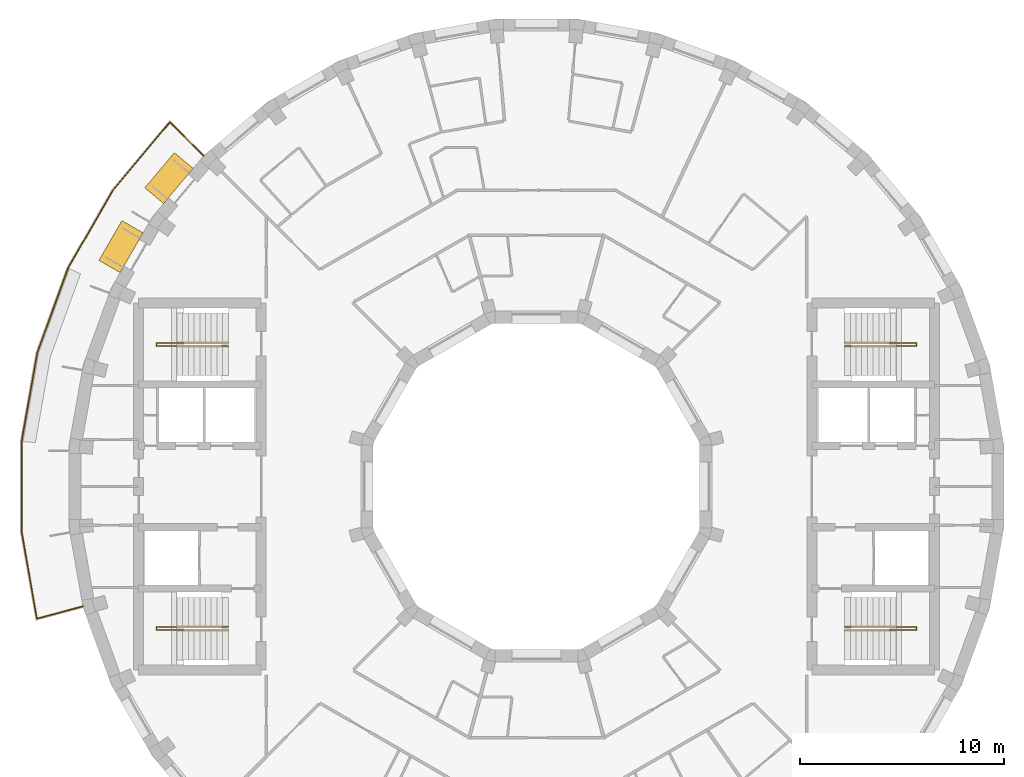
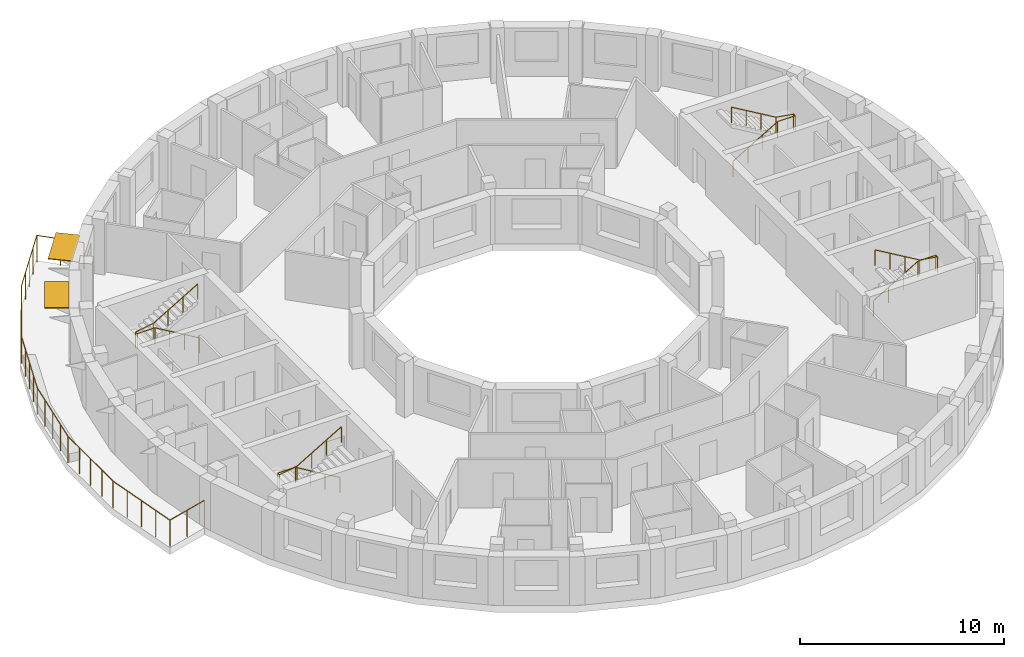
# One storey, part 10 of 10: 5 railings, 2 shading devices.
"""IFC4 building model written with IfcOpenShell, lengths in metres."""

import ifcopenshell
import ifcopenshell.guid

model = None  # the IFC model being written
_history = None  # IfcOwnerHistory: only IFC2X3 demands one
_inside = {}  # id of a spatial element -> (the spatial element, [elements in it])
_under = {}  # id of a project, library or spatial element -> (it, [spatial elements below it])
_declared = {}  # id of a project -> (the project, [libraries it declares])
_typed = {}  # id of a type object -> (the type object, [elements of that type])
_made_of = {}  # id of a material, layer set ... -> (it, [elements and type objects made of it])


def new_model(schema):
    """Start an empty IFC model of exactly this schema.

    Asked for "IFC4X3", IfcOpenShell would pick the latest addendum, in which some entities
    have other attributes; the version numbers below select the first issue.
    IFC2X3 requires an IfcOwnerHistory on every rooted entity: one is made here for all.
    """
    global model, _history
    if schema == "IFC4X3":
        model = ifcopenshell.file(schema_version=(4, 3, 0, 0))
    else:
        model = ifcopenshell.file(schema=schema)
    _inside.clear()
    _under.clear()
    _declared.clear()
    _typed.clear()
    _made_of.clear()
    _history = None
    if model.schema == "IFC2X3":
        org = make("IfcOrganization", Name="unknown")
        user = make(
            "IfcPersonAndOrganization",
            ThePerson=make("IfcPerson", FamilyName="unknown"),
            TheOrganization=org,
        )
        app = make(
            "IfcApplication",
            ApplicationDeveloper=org,
            Version="unknown",
            ApplicationFullName="unknown",
            ApplicationIdentifier="unknown",
        )
        _history = make(
            "IfcOwnerHistory",
            OwningUser=user,
            OwningApplication=app,
            ChangeAction="ADDED",
            CreationDate=0,
        )
    return model


def make(cls, **values):
    """One entity of the class cls with the attributes given. An attribute that is None is left unset."""
    return model.create_entity(
        cls, **{name: value for name, value in values.items() if value is not None}
    )


def rooted(cls, **values):
    """An entity with a GlobalId (a new one), such as an element, a storey or a relation."""
    return make(cls, GlobalId=ifcopenshell.guid.new(), OwnerHistory=_history, **values)


def si_unit(unit_type, name, prefix=None):
    """IfcSIUnit, for example si_unit("LENGTHUNIT", "METRE", prefix="MILLI")."""
    return make("IfcSIUnit", UnitType=unit_type, Prefix=prefix, Name=name)


def assignment(units):
    """IfcUnitAssignment: the units of a project."""
    return None if units is None else make("IfcUnitAssignment", Units=units)


def point(xyz):
    """IfcCartesianPoint."""
    return None if xyz is None else make("IfcCartesianPoint", Coordinates=xyz)


def direction(xyz):
    """IfcDirection."""
    return None if xyz is None else make("IfcDirection", DirectionRatios=xyz)


def frame(location, z_axis=None, x_axis=None):
    """IfcAxis2Placement3D, a coordinate frame: its origin and axes. An axis left out is left unset."""
    return make(
        "IfcAxis2Placement3D",
        Location=point(location),
        Axis=direction(z_axis),
        RefDirection=direction(x_axis),
    )


def frame_2d(location, x_axis=None):
    """IfcAxis2Placement2D, a coordinate frame in the plane: its origin and x axis."""
    return make(
        "IfcAxis2Placement2D", Location=point(location), RefDirection=direction(x_axis)
    )


def origin():
    """The frame at (0, 0, 0) with its axes left unset."""
    return frame((0.0, 0.0, 0.0))


def origin_2d():
    """The frame at (0, 0) in the plane with its x axis left unset."""
    return frame_2d((0.0, 0.0))


def place(relative_to, where):
    """IfcLocalPlacement: puts the frame where relative to a parent placement (None: the world)."""
    return make(
        "IfcLocalPlacement", PlacementRelTo=relative_to, RelativePlacement=where
    )


def context(
    kind, dimensions, precision=None, world=None, true_north=None, identifier=None
):
    """IfcGeometricRepresentationContext, for example the 3D "Model" context."""
    return make(
        "IfcGeometricRepresentationContext",
        ContextIdentifier=identifier,
        ContextType=kind,
        CoordinateSpaceDimension=dimensions,
        Precision=precision,
        WorldCoordinateSystem=world,
        TrueNorth=true_north,
    )


def subcontext(parent, identifier, kind, view, scale=None):
    """IfcGeometricRepresentationSubContext, for example "Body" below "Model"."""
    return make(
        "IfcGeometricRepresentationSubContext",
        ContextIdentifier=identifier,
        ContextType=kind,
        ParentContext=parent,
        TargetScale=scale,
        TargetView=view,
    )


def project(units=None, contexts=None):
    """IfcProject with its units and contexts."""
    return rooted(
        "IfcProject",
        Name="project",
        RepresentationContexts=contexts,
        UnitsInContext=assignment(units),
    )


def spatial(cls, under=None, at=None, **own):
    """A site, building, storey or space (cls), placed at a placement, below another one or the project."""
    s = rooted(cls, ObjectPlacement=at, **own)
    if under is not None:
        _under.setdefault(under.id(), (under, []))[1].append(s)
    return s


def profile(cls, at=None, kind="AREA", **sizes):
    """A parametric profile (cls). Its sizes go by their IFC names, for example OverallWidth=200.0."""
    return make(cls, ProfileType=kind, Position=at, **sizes)


def rectangle(**sizes):
    """IfcRectangleProfileDef."""
    return profile("IfcRectangleProfileDef", **sizes)


def circle(**sizes):
    """IfcCircleProfileDef."""
    return profile("IfcCircleProfileDef", **sizes)


def extrude(swept, where, along, depth):
    """IfcExtrudedAreaSolid: the profile swept, set in the frame where, extruded along a direction by depth."""
    return make(
        "IfcExtrudedAreaSolid",
        SweptArea=swept,
        Position=where,
        ExtrudedDirection=direction(along),
        Depth=depth,
    )


def shape(context_of_items, identifier, shape_type, items):
    """IfcShapeRepresentation: the items that make up one representation, for example the "Body"."""
    return make(
        "IfcShapeRepresentation",
        ContextOfItems=context_of_items,
        RepresentationIdentifier=identifier,
        RepresentationType=shape_type,
        Items=items,
    )


def material(Name=None, Category=None):
    """IfcMaterial."""
    return make("IfcMaterial", Name=Name, Category=Category)


def layer(
    of_material, thickness, ventilated=None, Name=None, Category=None, Priority=None
):
    """IfcMaterialLayer: one layer of a wall or slab, of a material (None: an air gap)."""
    return make(
        "IfcMaterialLayer",
        Material=of_material,
        LayerThickness=thickness,
        IsVentilated=ventilated,
        Name=Name,
        Category=Category,
        Priority=Priority,
    )


def layer_set(layers, Name=None):
    """IfcMaterialLayerSet."""
    return make("IfcMaterialLayerSet", MaterialLayers=layers, LayerSetName=Name)


def made_of(thing, what):
    """Note that an element or type object is made of a material, layer set ...; save() writes the relation."""
    if what is not None:
        _made_of.setdefault(what.id(), (what, []))[1].append(thing)
    return thing


def type_object(cls, material=None, **own):
    """A type object (cls), such as IfcWallType, which elements share."""
    return made_of(rooted(cls, **own), material)


def element(
    cls,
    number,
    at=None,
    inside=None,
    cuts=None,
    type_object=None,
    material=None,
    context=None,
    identifier="Body",
    shape_type=None,
    held_by="IfcProductDefinitionShape",
    body=None,
    shapes=None,
    **own,
):
    """One element of the class cls, such as IfcWall. Its Tag is "e" and its number.

    at: its placement. inside: the storey or other place that contains it. cuts: it is an
    opening in that element (IfcRelVoidsElement). A single representation is given by context,
    identifier, shape_type and body (its items); several are given by shapes. held_by: the class
    of the entity that holds the representations. save() writes the other relations.
    """
    e = rooted(cls, Tag="e%d" % number, ObjectPlacement=at, **own)
    if body is not None:
        shapes = [shape(context, identifier, shape_type, body)]
    if shapes is not None:
        e.Representation = make(held_by, Representations=shapes)
    if inside is not None:
        _inside.setdefault(inside.id(), (inside, []))[1].append(e)
    if cuts is not None:
        rooted(
            "IfcRelVoidsElement", RelatingBuildingElement=cuts, RelatedOpeningElement=e
        )
    if type_object is not None:
        _typed.setdefault(type_object.id(), (type_object, []))[1].append(e)
    return made_of(e, material)


def aggregate(whole, parts):
    """IfcRelAggregates: a whole, such as a stair, and the parts it consists of."""
    return rooted("IfcRelAggregates", RelatingObject=whole, RelatedObjects=parts)


def save(model, path):
    """Write the relations noted so far, then the file.

    IfcRelAggregates (storeys below a building ...), IfcRelContainedInSpatialStructure (elements
    in a storey), IfcRelDefinesByType, IfcRelAssociatesMaterial and IfcRelDeclares: one each for
    every whole, place, type object, material and project.
    """
    for whole, parts in _under.values():
        aggregate(whole, parts)
    for where, things in _inside.values():
        rooted(
            "IfcRelContainedInSpatialStructure",
            RelatedElements=things,
            RelatingStructure=where,
        )
    for kind, things in _typed.values():
        rooted("IfcRelDefinesByType", RelatedObjects=things, RelatingType=kind)
    for what, things in _made_of.values():
        rooted("IfcRelAssociatesMaterial", RelatedObjects=things, RelatingMaterial=what)
    for by, libraries in _declared.values():
        rooted("IfcRelDeclares", RelatingContext=by, RelatedDefinitions=libraries)
    model.write(path)


model = new_model("IFC4")

# Units and contexts
model_context = context("Model", 3, precision=1e-05, world=origin(), true_north=direction((0.0, 1.0)))
body_context = subcontext(model_context, "Body", "Model", "MODEL_VIEW")
ifc_project = project(units=[si_unit("LENGTHUNIT", "METRE"), si_unit("AREAUNIT", "SQUARE_METRE"), si_unit("VOLUMEUNIT", "CUBIC_METRE"), si_unit("PLANEANGLEUNIT", "RADIAN"), si_unit("MASSUNIT", "GRAM", prefix="KILO")], contexts=[model_context])

# Site, building, storey
site_placement = place(None, origin())
site = spatial("IfcSite", under=ifc_project, at=site_placement, CompositionType="ELEMENT")
building_placement = place(site_placement, origin())
building = spatial("IfcBuilding", under=site, at=building_placement, Name="Saqina Gate Tower", CompositionType="ELEMENT")
storey_placement = place(building_placement, frame((0.0, 0.0, 242.89990234375)))
storey = spatial("IfcBuildingStorey", under=building, at=storey_placement, Name="L69", CompositionType="ELEMENT", Elevation=242.89990234375)

# Shading devices
ifc_material_1 = material(Name="Aluminium and fabric awning", Category="aluminium")
ifc_layer = layer(ifc_material_1, 0.050048828125)
ifc_layer_set = layer_set([ifc_layer], Name="AW-TERRACE")
shading_device_type = type_object("IfcShadingDeviceType", Name="AW-TERRACE", PredefinedType="AWNING", material=ifc_layer_set)
for number, where, z_axis, x_axis, name in (
    (1, (-18.01171875, 15.113525390625, 2.52490234375), (0.0, 0.0, 1.0), (-0.642787609687, -0.766044443119, 0.0), "Terrace awning L69 facet 14"),
    (2, (-20.3623046875, 11.756103515625, 2.52490234375), (0.0, 0.0, 1.0), (-0.5, -0.866025403784, 0.0), "Terrace awning L69 facet 15"),
):
    element("IfcShadingDevice", number, at=place(storey_placement, frame(where, z_axis=z_axis, x_axis=x_axis)), inside=storey, type_object=shading_device_type, Name=name, PredefinedType="AWNING", context=body_context, shape_type="SweptSolid", body=[
        extrude(rectangle(XDim=2.251708984375, YDim=1.199951171875, at=origin_2d()), origin(), (0.0, 0.0, 1.0), 0.050048828125),
    ])

# Railings
ifc_material_2 = material(Name="Stainless steel", Category="steel")
railing_type_1 = type_object("IfcRailingType", Name="RL-TERRACE", PredefinedType="GUARDRAIL", material=ifc_material_2)
railing_1_placement = place(storey_placement, frame((-16.277587890625, 16.16455078125, 0.0)))
element("IfcRailing", 3, at=railing_1_placement, inside=storey, type_object=railing_type_1, Name="Terrace guard L69", PredefinedType="GUARDRAIL", context=body_context, shape_type="SweptSolid", body=[
    extrude(circle(Radius=0.02392578125, at=origin_2d()), frame((0.0, 0.0, 1.576171875), z_axis=(-0.707157881947, 0.707055676733, 0.0), x_axis=(-0.707055676733, -0.707157881947, 0.0)), (0.0, 0.0, 1.0), 2.388671875),
    extrude(circle(Radius=0.02392578125, at=origin_2d()), frame((-1.689208984375, 1.68896484375, 1.576171875), z_axis=(-0.641584720745, -0.76705217952, 0.0), x_axis=(0.76705217952, -0.641584720745, 0.0)), (0.0, 0.0, 1.0), 4.33544921875),
    extrude(circle(Radius=0.02392578125, at=origin_2d()), frame((-4.470703125, -1.636474609375, 1.576171875), z_axis=(-0.49998092645, -0.866036415623, 0.0), x_axis=(0.866036415623, -0.49998092645, 0.0)), (0.0, 0.0, 1.0), 4.415283203125),
    extrude(circle(Radius=0.02392578125, at=origin_2d()), frame((-6.67822265625, -5.460205078125, 1.576171875), z_axis=(-0.342022770825, -0.93969166445, 0.0), x_axis=(0.93969166445, -0.342022770825, 0.0)), (0.0, 0.0, 1.0), 4.4150390625),
    extrude(circle(Radius=0.02392578125, at=origin_2d()), frame((-8.188232421875, -9.60888671875, 1.576171875), z_axis=(-0.173627609853, -0.984811379451, 0.0), x_axis=(0.984811379451, -0.173627609853, 0.0)), (0.0, 0.0, 1.0), 4.415283203125),
    extrude(circle(Radius=0.02392578125, at=origin_2d()), frame((-8.954833984375, -13.95703125, 1.576171875), z_axis=(0.0, -1.0, 0.0), x_axis=(1.0, 0.0, 0.0)), (0.0, 0.0, 1.0), 4.4150390625),
    extrude(circle(Radius=0.02392578125, at=origin_2d()), frame((-8.954833984375, -18.3720703125, 1.576171875), z_axis=(0.172037454969, -0.985090409093, 0.0), x_axis=(0.985090409093, 0.172037454969, 0.0)), (0.0, 0.0, 1.0), 4.33544921875),
    extrude(circle(Radius=0.02392578125, at=origin_2d()), frame((-8.208984375, -22.642822265625, 1.576171875), z_axis=(0.96594257821, 0.258756517988, 0.0), x_axis=(-0.258756517988, 0.96594257821, 0.0)), (0.0, 0.0, 1.0), 2.388916015625),
    extrude(circle(Radius=0.02099609375, at=origin_2d()), origin(), (0.0, 0.0, 1.0), 1.552001953125),
    extrude(circle(Radius=0.02099609375, at=origin_2d()), frame((-0.8447265625, 0.844482421875, 0.0)), (0.0, 0.0, 1.0), 1.552001953125),
    extrude(circle(Radius=0.02099609375, at=origin_2d()), frame((-1.689208984375, 1.68896484375, 0.0)), (0.0, 0.0, 1.0), 1.552001953125),
    extrude(circle(Radius=0.02099609375, at=origin_2d()), frame((-2.384521484375, 0.857666015625, 0.0)), (0.0, 0.0, 1.0), 1.552001953125),
    extrude(circle(Radius=0.02099609375, at=origin_2d()), frame((-3.080078125, 0.0263671875, 0.0)), (0.0, 0.0, 1.0), 1.552001953125),
    extrude(circle(Radius=0.02099609375, at=origin_2d()), frame((-3.775390625, -0.80517578125, 0.0)), (0.0, 0.0, 1.0), 1.552001953125),
    extrude(circle(Radius=0.02099609375, at=origin_2d()), frame((-4.470703125, -1.636474609375, 0.0)), (0.0, 0.0, 1.0), 1.552001953125),
    extrude(circle(Radius=0.02099609375, at=origin_2d()), frame((-5.0224609375, -2.59228515625, 0.0)), (0.0, 0.0, 1.0), 1.552001953125),
    extrude(circle(Radius=0.02099609375, at=origin_2d()), frame((-5.574462890625, -3.54833984375, 0.0)), (0.0, 0.0, 1.0), 1.552001953125),
    extrude(circle(Radius=0.02099609375, at=origin_2d()), frame((-6.12646484375, -4.50439453125, 0.0)), (0.0, 0.0, 1.0), 1.552001953125),
    extrude(circle(Radius=0.02099609375, at=origin_2d()), frame((-6.67822265625, -5.460205078125, 0.0)), (0.0, 0.0, 1.0), 1.552001953125),
    extrude(circle(Radius=0.02099609375, at=origin_2d()), frame((-7.0556640625, -6.497314453125, 0.0)), (0.0, 0.0, 1.0), 1.552001953125),
    extrude(circle(Radius=0.02099609375, at=origin_2d()), frame((-7.43310546875, -7.53466796875, 0.0)), (0.0, 0.0, 1.0), 1.552001953125),
    extrude(circle(Radius=0.02099609375, at=origin_2d()), frame((-7.810791015625, -8.57177734375, 0.0)), (0.0, 0.0, 1.0), 1.552001953125),
    extrude(circle(Radius=0.02099609375, at=origin_2d()), frame((-8.188232421875, -9.60888671875, 0.0)), (0.0, 0.0, 1.0), 1.552001953125),
    extrude(circle(Radius=0.02099609375, at=origin_2d()), frame((-8.3798828125, -10.69580078125, 0.0)), (0.0, 0.0, 1.0), 1.552001953125),
    extrude(circle(Radius=0.02099609375, at=origin_2d()), frame((-8.571533203125, -11.782958984375, 0.0)), (0.0, 0.0, 1.0), 1.552001953125),
    extrude(circle(Radius=0.02099609375, at=origin_2d()), frame((-8.76318359375, -12.8701171875, 0.0)), (0.0, 0.0, 1.0), 1.552001953125),
    extrude(circle(Radius=0.02099609375, at=origin_2d()), frame((-8.954833984375, -13.95703125, 0.0)), (0.0, 0.0, 1.0), 1.552001953125),
    extrude(circle(Radius=0.02099609375, at=origin_2d()), frame((-8.954833984375, -15.060791015625, 0.0)), (0.0, 0.0, 1.0), 1.552001953125),
    extrude(circle(Radius=0.02099609375, at=origin_2d()), frame((-8.954833984375, -16.16455078125, 0.0)), (0.0, 0.0, 1.0), 1.552001953125),
    extrude(circle(Radius=0.02099609375, at=origin_2d()), frame((-8.954833984375, -17.268310546875, 0.0)), (0.0, 0.0, 1.0), 1.552001953125),
    extrude(circle(Radius=0.02099609375, at=origin_2d()), frame((-8.954833984375, -18.3720703125, 0.0)), (0.0, 0.0, 1.0), 1.552001953125),
    extrude(circle(Radius=0.02099609375, at=origin_2d()), frame((-8.768310546875, -19.439697265625, 0.0)), (0.0, 0.0, 1.0), 1.552001953125),
    extrude(circle(Radius=0.02099609375, at=origin_2d()), frame((-8.58203125, -20.50732421875, 0.0)), (0.0, 0.0, 1.0), 1.552001953125),
    extrude(circle(Radius=0.02099609375, at=origin_2d()), frame((-8.3955078125, -21.5751953125, 0.0)), (0.0, 0.0, 1.0), 1.552001953125),
    extrude(circle(Radius=0.02099609375, at=origin_2d()), frame((-8.208984375, -22.642822265625, 0.0)), (0.0, 0.0, 1.0), 1.552001953125),
    extrude(circle(Radius=0.02099609375, at=origin_2d()), frame((-7.05517578125, -22.333740234375, 0.0)), (0.0, 0.0, 1.0), 1.552001953125),
    extrude(circle(Radius=0.02099609375, at=origin_2d()), frame((-5.9013671875, -22.024658203125, 0.0)), (0.0, 0.0, 1.0), 1.552001953125),
])
ifc_material_3 = material(Name="Stainless steel", Category="steel")
railing_type_2 = type_object("IfcRailingType", Name="STAIR HANDRAIL", PredefinedType="HANDRAIL", material=ifc_material_3)
railing_2_placement = place(storey_placement, frame((15.10009765625, 6.88330078125, 0.1650390625)))
element("IfcRailing", 4, at=railing_2_placement, inside=storey, type_object=railing_type_2, Name="EXIT STAIR 1 HANDRAIL", PredefinedType="HANDRAIL", context=body_context, shape_type="SweptSolid", body=[
    extrude(circle(Radius=0.02392578125, at=origin_2d()), frame((0.0, 0.0, 0.92578125), z_axis=(0.86152411907, 0.0, 0.507716645641), x_axis=(0.0, 1.0, 0.0)), (0.0, 0.0, 1.0), 2.925048828125),
    extrude(circle(Radius=0.02392578125, at=origin_2d()), frame((2.52001953125, 0.0, 2.4111328125), z_axis=(1.0, 0.0, 0.0), x_axis=(0.0, 1.0, 0.0)), (0.0, 0.0, 1.0), 1.0),
    extrude(circle(Radius=0.02392578125, at=origin_2d()), frame((3.52001953125, 0.0, 2.4111328125), z_axis=(0.0, 1.0, 0.0), x_axis=(-1.0, 0.0, 0.0)), (0.0, 0.0, 1.0), 0.158447265625),
    extrude(circle(Radius=0.02392578125, at=origin_2d()), frame((3.52001953125, 0.158447265625, 2.4111328125), z_axis=(-0.98665309941, 0.0, 0.162836302539), x_axis=(0.0, -1.0, 0.0)), (0.0, 0.0, 1.0), 1.013427734375),
    extrude(circle(Radius=0.02392578125, at=origin_2d()), frame((2.52001953125, 0.158447265625, 2.576171875), z_axis=(-0.861560626758, 0.0, 0.507654692109), x_axis=(0.0, -1.0, 0.0)), (0.0, 0.0, 1.0), 2.925048828125),
    extrude(circle(Radius=0.02099609375, at=origin_2d()), origin(), (0.0, 0.0, 1.0), 0.90185546875),
    extrude(circle(Radius=0.02099609375, at=origin_2d()), frame((0.840087890625, 0.0, 0.4951171875)), (0.0, 0.0, 1.0), 0.90185546875),
    extrude(circle(Radius=0.02099609375, at=origin_2d()), frame((1.679931640625, 0.0, 0.989990234375)), (0.0, 0.0, 1.0), 0.90185546875),
    extrude(circle(Radius=0.02099609375, at=origin_2d()), frame((2.52001953125, 0.0, 1.485107421875)), (0.0, 0.0, 1.0), 0.90185546875),
    extrude(circle(Radius=0.02099609375, at=origin_2d()), frame((3.52001953125, 0.0, 1.485107421875)), (0.0, 0.0, 1.0), 0.90185546875),
    extrude(circle(Radius=0.02099609375, at=origin_2d()), frame((3.52001953125, 0.158447265625, 1.485107421875)), (0.0, 0.0, 1.0), 0.90185546875),
    extrude(circle(Radius=0.02099609375, at=origin_2d()), frame((2.52001953125, 0.158447265625, 1.650146484375)), (0.0, 0.0, 1.0), 0.90185546875),
    extrude(circle(Radius=0.02099609375, at=origin_2d()), frame((1.679931640625, 0.158447265625, 2.14501953125)), (0.0, 0.0, 1.0), 0.90185546875),
    extrude(circle(Radius=0.02099609375, at=origin_2d()), frame((0.840087890625, 0.158447265625, 2.64013671875)), (0.0, 0.0, 1.0), 0.90185546875),
    extrude(circle(Radius=0.02099609375, at=origin_2d()), frame((0.0, 0.158447265625, 3.135009765625)), (0.0, 0.0, 1.0), 0.90185546875),
])
railing_3_placement = place(storey_placement, frame((15.10009765625, -6.88330078125, 0.1650390625)))
element("IfcRailing", 5, at=railing_3_placement, inside=storey, type_object=railing_type_2, Name="EXIT STAIR 2 HANDRAIL", PredefinedType="HANDRAIL", context=body_context, shape_type="SweptSolid", body=[
    extrude(circle(Radius=0.02392578125, at=origin_2d()), frame((0.0, 0.0, 0.92578125), z_axis=(0.86152411907, 0.0, 0.507716645641), x_axis=(0.0, 1.0, 0.0)), (0.0, 0.0, 1.0), 2.925048828125),
    extrude(circle(Radius=0.02392578125, at=origin_2d()), frame((2.52001953125, 0.0, 2.4111328125), z_axis=(1.0, 0.0, 0.0), x_axis=(0.0, 1.0, 0.0)), (0.0, 0.0, 1.0), 1.0),
    extrude(circle(Radius=0.02392578125, at=origin_2d()), frame((3.52001953125, 0.0, 2.4111328125), z_axis=(0.0, -1.0, 0.0), x_axis=(1.0, 0.0, 0.0)), (0.0, 0.0, 1.0), 0.158447265625),
    extrude(circle(Radius=0.02392578125, at=origin_2d()), frame((3.52001953125, -0.158447265625, 2.4111328125), z_axis=(-0.98665309941, 0.0, 0.162836302539), x_axis=(0.0, -1.0, 0.0)), (0.0, 0.0, 1.0), 1.013427734375),
    extrude(circle(Radius=0.02392578125, at=origin_2d()), frame((2.52001953125, -0.158447265625, 2.576171875), z_axis=(-0.861560626758, 0.0, 0.507654692109), x_axis=(0.0, -1.0, 0.0)), (0.0, 0.0, 1.0), 2.925048828125),
    extrude(circle(Radius=0.02099609375, at=origin_2d()), origin(), (0.0, 0.0, 1.0), 0.90185546875),
    extrude(circle(Radius=0.02099609375, at=origin_2d()), frame((0.840087890625, 0.0, 0.4951171875)), (0.0, 0.0, 1.0), 0.90185546875),
    extrude(circle(Radius=0.02099609375, at=origin_2d()), frame((1.679931640625, 0.0, 0.989990234375)), (0.0, 0.0, 1.0), 0.90185546875),
    extrude(circle(Radius=0.02099609375, at=origin_2d()), frame((2.52001953125, 0.0, 1.485107421875)), (0.0, 0.0, 1.0), 0.90185546875),
    extrude(circle(Radius=0.02099609375, at=origin_2d()), frame((3.52001953125, 0.0, 1.485107421875)), (0.0, 0.0, 1.0), 0.90185546875),
    extrude(circle(Radius=0.02099609375, at=origin_2d()), frame((3.52001953125, -0.158447265625, 1.485107421875)), (0.0, 0.0, 1.0), 0.90185546875),
    extrude(circle(Radius=0.02099609375, at=origin_2d()), frame((2.52001953125, -0.158447265625, 1.650146484375)), (0.0, 0.0, 1.0), 0.90185546875),
    extrude(circle(Radius=0.02099609375, at=origin_2d()), frame((1.679931640625, -0.158447265625, 2.14501953125)), (0.0, 0.0, 1.0), 0.90185546875),
    extrude(circle(Radius=0.02099609375, at=origin_2d()), frame((0.840087890625, -0.158447265625, 2.64013671875)), (0.0, 0.0, 1.0), 0.90185546875),
    extrude(circle(Radius=0.02099609375, at=origin_2d()), frame((0.0, -0.158447265625, 3.135009765625)), (0.0, 0.0, 1.0), 0.90185546875),
])
railing_4_placement = place(storey_placement, frame((-15.10009765625, 6.88330078125, 0.1650390625)))
element("IfcRailing", 6, at=railing_4_placement, inside=storey, type_object=railing_type_2, Name="EXIT STAIR 3 HANDRAIL", PredefinedType="HANDRAIL", context=body_context, shape_type="SweptSolid", body=[
    extrude(circle(Radius=0.02392578125, at=origin_2d()), frame((0.0, 0.0, 0.92578125), z_axis=(-0.86152411907, 0.0, 0.507716645641), x_axis=(0.0, -1.0, 0.0)), (0.0, 0.0, 1.0), 2.925048828125),
    extrude(circle(Radius=0.02392578125, at=origin_2d()), frame((-2.52001953125, 0.0, 2.4111328125), z_axis=(-1.0, 0.0, 0.0), x_axis=(0.0, -1.0, 0.0)), (0.0, 0.0, 1.0), 1.0),
    extrude(circle(Radius=0.02392578125, at=origin_2d()), frame((-3.52001953125, 0.0, 2.4111328125), z_axis=(0.0, 1.0, 0.0), x_axis=(-1.0, 0.0, 0.0)), (0.0, 0.0, 1.0), 0.158447265625),
    extrude(circle(Radius=0.02392578125, at=origin_2d()), frame((-3.52001953125, 0.158447265625, 2.4111328125), z_axis=(0.98665309941, 0.0, 0.162836302539), x_axis=(0.0, 1.0, 0.0)), (0.0, 0.0, 1.0), 1.013427734375),
    extrude(circle(Radius=0.02392578125, at=origin_2d()), frame((-2.52001953125, 0.158447265625, 2.576171875), z_axis=(0.861560626758, 0.0, 0.507654692109), x_axis=(0.0, 1.0, 0.0)), (0.0, 0.0, 1.0), 2.925048828125),
    extrude(circle(Radius=0.02099609375, at=origin_2d()), origin(), (0.0, 0.0, 1.0), 0.90185546875),
    extrude(circle(Radius=0.02099609375, at=origin_2d()), frame((-0.840087890625, 0.0, 0.4951171875)), (0.0, 0.0, 1.0), 0.90185546875),
    extrude(circle(Radius=0.02099609375, at=origin_2d()), frame((-1.679931640625, 0.0, 0.989990234375)), (0.0, 0.0, 1.0), 0.90185546875),
    extrude(circle(Radius=0.02099609375, at=origin_2d()), frame((-2.52001953125, 0.0, 1.485107421875)), (0.0, 0.0, 1.0), 0.90185546875),
    extrude(circle(Radius=0.02099609375, at=origin_2d()), frame((-3.52001953125, 0.0, 1.485107421875)), (0.0, 0.0, 1.0), 0.90185546875),
    extrude(circle(Radius=0.02099609375, at=origin_2d()), frame((-3.52001953125, 0.158447265625, 1.485107421875)), (0.0, 0.0, 1.0), 0.90185546875),
    extrude(circle(Radius=0.02099609375, at=origin_2d()), frame((-2.52001953125, 0.158447265625, 1.650146484375)), (0.0, 0.0, 1.0), 0.90185546875),
    extrude(circle(Radius=0.02099609375, at=origin_2d()), frame((-1.679931640625, 0.158447265625, 2.14501953125)), (0.0, 0.0, 1.0), 0.90185546875),
    extrude(circle(Radius=0.02099609375, at=origin_2d()), frame((-0.840087890625, 0.158447265625, 2.64013671875)), (0.0, 0.0, 1.0), 0.90185546875),
    extrude(circle(Radius=0.02099609375, at=origin_2d()), frame((0.0, 0.158447265625, 3.135009765625)), (0.0, 0.0, 1.0), 0.90185546875),
])
railing_5_placement = place(storey_placement, frame((-15.10009765625, -6.88330078125, 0.1650390625)))
element("IfcRailing", 7, at=railing_5_placement, inside=storey, type_object=railing_type_2, Name="EXIT STAIR 4 HANDRAIL", PredefinedType="HANDRAIL", context=body_context, shape_type="SweptSolid", body=[
    extrude(circle(Radius=0.02392578125, at=origin_2d()), frame((0.0, 0.0, 0.92578125), z_axis=(-0.86152411907, 0.0, 0.507716645641), x_axis=(0.0, -1.0, 0.0)), (0.0, 0.0, 1.0), 2.925048828125),
    extrude(circle(Radius=0.02392578125, at=origin_2d()), frame((-2.52001953125, 0.0, 2.4111328125), z_axis=(-1.0, 0.0, 0.0), x_axis=(0.0, -1.0, 0.0)), (0.0, 0.0, 1.0), 1.0),
    extrude(circle(Radius=0.02392578125, at=origin_2d()), frame((-3.52001953125, 0.0, 2.4111328125), z_axis=(0.0, -1.0, 0.0), x_axis=(1.0, 0.0, 0.0)), (0.0, 0.0, 1.0), 0.158447265625),
    extrude(circle(Radius=0.02392578125, at=origin_2d()), frame((-3.52001953125, -0.158447265625, 2.4111328125), z_axis=(0.98665309941, 0.0, 0.162836302539), x_axis=(0.0, 1.0, 0.0)), (0.0, 0.0, 1.0), 1.013427734375),
    extrude(circle(Radius=0.02392578125, at=origin_2d()), frame((-2.52001953125, -0.158447265625, 2.576171875), z_axis=(0.861560626758, 0.0, 0.507654692109), x_axis=(0.0, 1.0, 0.0)), (0.0, 0.0, 1.0), 2.925048828125),
    extrude(circle(Radius=0.02099609375, at=origin_2d()), origin(), (0.0, 0.0, 1.0), 0.90185546875),
    extrude(circle(Radius=0.02099609375, at=origin_2d()), frame((-0.840087890625, 0.0, 0.4951171875)), (0.0, 0.0, 1.0), 0.90185546875),
    extrude(circle(Radius=0.02099609375, at=origin_2d()), frame((-1.679931640625, 0.0, 0.989990234375)), (0.0, 0.0, 1.0), 0.90185546875),
    extrude(circle(Radius=0.02099609375, at=origin_2d()), frame((-2.52001953125, 0.0, 1.485107421875)), (0.0, 0.0, 1.0), 0.90185546875),
    extrude(circle(Radius=0.02099609375, at=origin_2d()), frame((-3.52001953125, 0.0, 1.485107421875)), (0.0, 0.0, 1.0), 0.90185546875),
    extrude(circle(Radius=0.02099609375, at=origin_2d()), frame((-3.52001953125, -0.158447265625, 1.485107421875)), (0.0, 0.0, 1.0), 0.90185546875),
    extrude(circle(Radius=0.02099609375, at=origin_2d()), frame((-2.52001953125, -0.158447265625, 1.650146484375)), (0.0, 0.0, 1.0), 0.90185546875),
    extrude(circle(Radius=0.02099609375, at=origin_2d()), frame((-1.679931640625, -0.158447265625, 2.14501953125)), (0.0, 0.0, 1.0), 0.90185546875),
    extrude(circle(Radius=0.02099609375, at=origin_2d()), frame((-0.840087890625, -0.158447265625, 2.64013671875)), (0.0, 0.0, 1.0), 0.90185546875),
    extrude(circle(Radius=0.02099609375, at=origin_2d()), frame((0.0, -0.158447265625, 3.135009765625)), (0.0, 0.0, 1.0), 0.90185546875),
])

save(model, "model.ifc")
